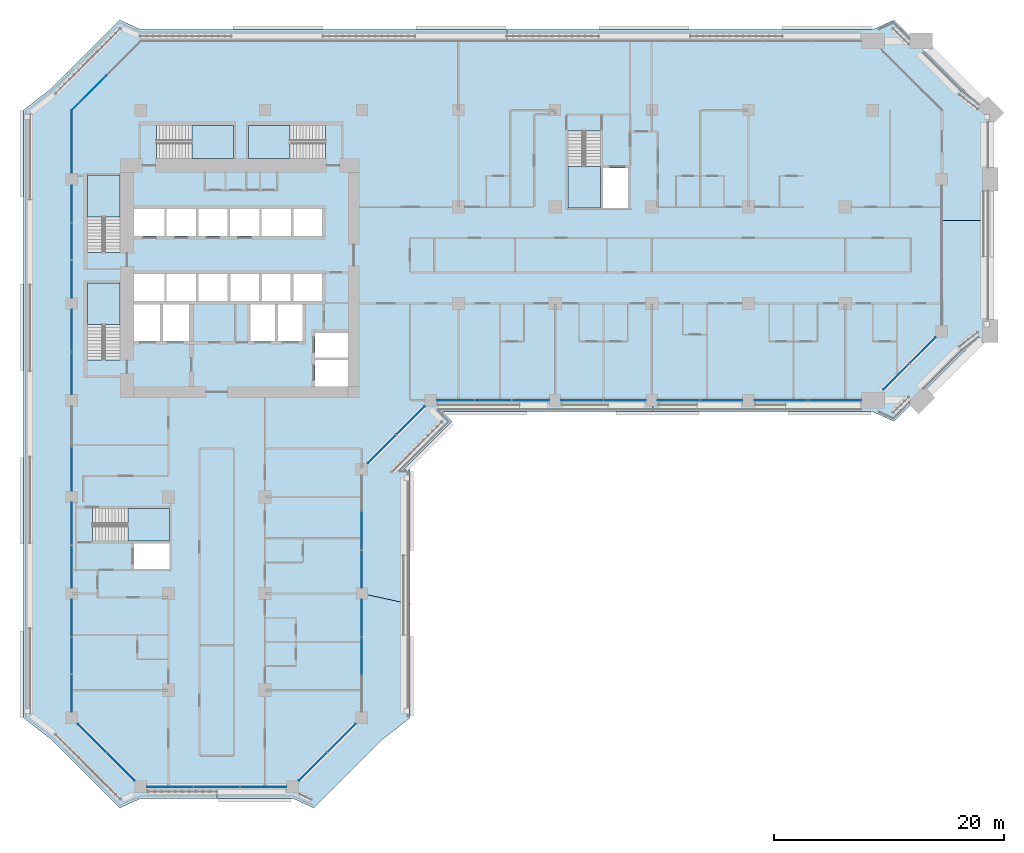
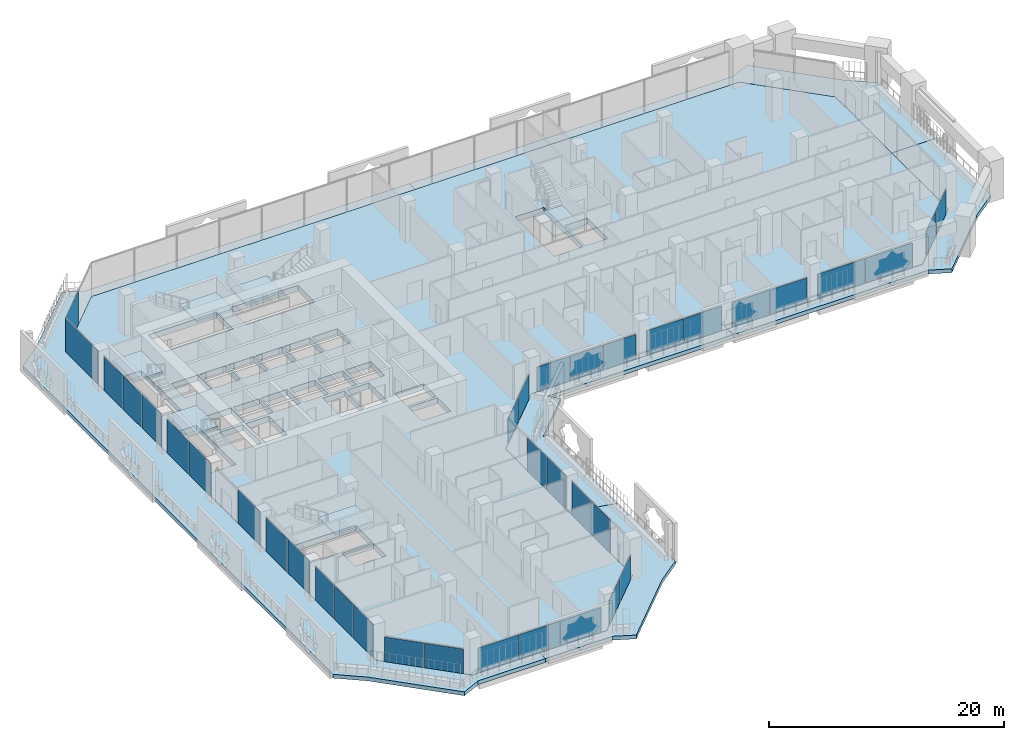
# One storey, part 11 of 27: 37 plates, 12 slabs, 15 elements without a shape of their own.
"""IFC4 building model written with IfcOpenShell, lengths in metres."""

from ifc_helpers import new_model, si_unit, direction, frame, origin, origin_2d, place, context, subcontext, project, spatial, polyline, rectangle, outline, extrude, material, layer, layer_set, type_object, element, aggregate, save


model = new_model("IFC4")

# Units and contexts
model_context = context("Model", 3, precision=1e-05, world=origin(), true_north=direction((0.0, 1.0)))
body_context = subcontext(model_context, "Body", "Model", "MODEL_VIEW")
ifc_project = project(units=[si_unit("LENGTHUNIT", "METRE"), si_unit("AREAUNIT", "SQUARE_METRE"), si_unit("VOLUMEUNIT", "CUBIC_METRE"), si_unit("PLANEANGLEUNIT", "RADIAN"), si_unit("MASSUNIT", "GRAM", prefix="KILO")], contexts=[model_context])

# Site, building, storey
site_placement = place(None, origin())
site = spatial("IfcSite", under=ifc_project, at=site_placement, CompositionType="ELEMENT")
building_placement = place(site_placement, origin())
building = spatial("IfcBuilding", under=site, at=building_placement, Name="Kawkab Arch Medical Tower", CompositionType="ELEMENT")
storey_placement = place(building_placement, frame((0.0, 0.0, 115.60009765625)))
storey = spatial("IfcBuildingStorey", under=building, at=storey_placement, Name="L26", CompositionType="ELEMENT", Elevation=115.60009765625)

# Curtain wall, plates
ifc_material_1 = material(Name="Bronze anodised aluminium curtain wall frame", Category="aluminium")
ifc_layer_1 = layer(ifc_material_1, 0.159912109375)
ifc_layer_set_1 = layer_set([ifc_layer_1], Name="Bronze anodised aluminium curtain wall frame")
curtain_wall_type_1 = type_object("IfcCurtainWallType", Name="CW1 ward curtain wall", PredefinedType="NOTDEFINED", material=ifc_layer_set_1)
placement_1 = place(storey_placement, origin())
curtain_wall_1 = element("IfcCurtainWall", 1, at=placement_1, inside=storey, type_object=curtain_wall_type_1, Name="CW1 Ward curtain wall R01", PredefinedType="NOTDEFINED")
ifc_material_2 = material(Name="Tinted insulating glass, bronze low-e coating", Category="glass")
ifc_layer_2 = layer(ifc_material_2, 0.031982421875)
ifc_layer_set_2 = layer_set([ifc_layer_2], Name="Tinted insulating glass, bronze low-e coating")
plate_type_1 = type_object("IfcPlateType", Name="CW1 glazing unit 32", PredefinedType="CURTAIN_PANEL", material=ifc_layer_set_2)
plate_1_placement = place(storey_placement, frame((0.0, -2.72509765625, 0.0), z_axis=(0.0, 0.0, 1.0), x_axis=(0.0, -1.0, 0.0)))
plate_1 = element("IfcPlate", 2, at=plate_1_placement, type_object=plate_type_1, Name="CW1 glazing unit 1.1", PredefinedType="CURTAIN_PANEL", context=body_context, shape_type="SweptSolid", body=[
    extrude(rectangle(XDim=5.449951171875, YDim=0.031982421875, at=origin_2d()), origin(), (0.0, 0.0, 1.0), 3.47998046875),
])
plate_2_placement = place(storey_placement, frame((0.0, -8.15576171875, 0.0), z_axis=(0.0, 0.0, 1.0), x_axis=(0.0, -1.0, 0.0)))
plate_2 = element("IfcPlate", 3, at=plate_2_placement, type_object=plate_type_1, Name="CW1 glazing unit 2.1", PredefinedType="CURTAIN_PANEL", context=body_context, shape_type="SweptSolid", body=[
    extrude(rectangle(XDim=3.211669921875, YDim=0.031982421875, at=origin_2d()), origin(), (0.0, 0.0, 1.0), 3.47998046875),
])
plate_3_placement = place(storey_placement, frame((0.0, -11.41259765625, 0.0), z_axis=(0.0, 0.0, 1.0), x_axis=(0.0, -1.0, 0.0)))
plate_3 = element("IfcPlate", 4, at=plate_3_placement, type_object=plate_type_1, Name="CW1 glazing unit 2.2", PredefinedType="CURTAIN_PANEL", context=body_context, shape_type="SweptSolid", body=[
    extrude(rectangle(XDim=3.181640625, YDim=0.031982421875, at=origin_2d()), origin(), (0.0, 0.0, 1.0), 3.47998046875),
])
plate_4_placement = place(storey_placement, frame((0.0, -14.669189453125, 0.0), z_axis=(0.0, 0.0, 1.0), x_axis=(0.0, -1.0, 0.0)))
plate_4 = element("IfcPlate", 5, at=plate_4_placement, type_object=plate_type_1, Name="CW1 glazing unit 2.3", PredefinedType="CURTAIN_PANEL", context=body_context, shape_type="SweptSolid", body=[
    extrude(rectangle(XDim=3.211669921875, YDim=0.031982421875, at=origin_2d()), origin(), (0.0, 0.0, 1.0), 3.47998046875),
])
plate_5_placement = place(storey_placement, frame((0.0, -19.1474609375, 0.0), z_axis=(0.0, 0.0, 1.0), x_axis=(0.0, -1.0, 0.0)))
plate_5 = element("IfcPlate", 6, at=plate_5_placement, type_object=plate_type_1, Name="CW1 glazing unit 3.1", PredefinedType="CURTAIN_PANEL", context=body_context, shape_type="SweptSolid", body=[
    extrude(rectangle(XDim=3.64501953125, YDim=0.031982421875, at=origin_2d()), origin(), (0.0, 0.0, 1.0), 3.47998046875),
])
plate_6_placement = place(storey_placement, frame((0.0, -22.8525390625, 0.0), z_axis=(0.0, 0.0, 1.0), x_axis=(0.0, -1.0, 0.0)))
plate_6 = element("IfcPlate", 7, at=plate_6_placement, type_object=plate_type_1, Name="CW1 glazing unit 3.2", PredefinedType="CURTAIN_PANEL", context=body_context, shape_type="SweptSolid", body=[
    extrude(rectangle(XDim=3.64501953125, YDim=0.031982421875, at=origin_2d()), origin(), (0.0, 0.0, 1.0), 3.47998046875),
])
plate_7_placement = place(storey_placement, frame((0.0, -31.237548828125, 0.0), z_axis=(0.0, 0.0, 1.0), x_axis=(0.0, -1.0, 0.0)))
plate_7 = element("IfcPlate", 8, at=plate_7_placement, type_object=plate_type_1, Name="CW1 glazing unit 4.2", PredefinedType="CURTAIN_PANEL", context=body_context, shape_type="SweptSolid", body=[
    extrude(rectangle(XDim=3.675048828125, YDim=0.031982421875, at=origin_2d()), origin(), (0.0, 0.0, 1.0), 3.47998046875),
])
plate_8_placement = place(storey_placement, frame((0.0, -35.947509765625, 0.0), z_axis=(0.0, 0.0, 1.0), x_axis=(0.0, -1.0, 0.0)))
plate_8 = element("IfcPlate", 9, at=plate_8_placement, type_object=plate_type_1, Name="CW1 glazing unit 5.1", PredefinedType="CURTAIN_PANEL", context=body_context, shape_type="SweptSolid", body=[
    extrude(rectangle(XDim=3.64501953125, YDim=0.031982421875, at=origin_2d()), origin(), (0.0, 0.0, 1.0), 3.47998046875),
])
plate_9_placement = place(storey_placement, frame((0.0, -39.652587890625, 0.0), z_axis=(0.0, 0.0, 1.0), x_axis=(0.0, -1.0, 0.0)))
plate_9 = element("IfcPlate", 10, at=plate_9_placement, type_object=plate_type_1, Name="CW1 glazing unit 5.2", PredefinedType="CURTAIN_PANEL", context=body_context, shape_type="SweptSolid", body=[
    extrude(rectangle(XDim=3.64501953125, YDim=0.031982421875, at=origin_2d()), origin(), (0.0, 0.0, 1.0), 3.47998046875),
])
plate_10_placement = place(storey_placement, frame((0.0, -44.130859375, 0.0), z_axis=(0.0, 0.0, 1.0), x_axis=(0.0, -1.0, 0.0)))
plate_10 = element("IfcPlate", 11, at=plate_10_placement, type_object=plate_type_1, Name="CW1 glazing unit 6.1", PredefinedType="CURTAIN_PANEL", context=body_context, shape_type="SweptSolid", body=[
    extrude(rectangle(XDim=3.211669921875, YDim=0.031982421875, at=origin_2d()), origin(), (0.0, 0.0, 1.0), 3.47998046875),
])
plate_11_placement = place(storey_placement, frame((0.0, -47.387451171875, 0.0), z_axis=(0.0, 0.0, 1.0), x_axis=(0.0, -1.0, 0.0)))
plate_11 = element("IfcPlate", 12, at=plate_11_placement, type_object=plate_type_1, Name="CW1 glazing unit 6.2", PredefinedType="CURTAIN_PANEL", context=body_context, shape_type="SweptSolid", body=[
    extrude(rectangle(XDim=3.181640625, YDim=0.031982421875, at=origin_2d()), origin(), (0.0, 0.0, 1.0), 3.47998046875),
])
plate_12_placement = place(storey_placement, frame((0.0, -50.644287109375, 0.0), z_axis=(0.0, 0.0, 1.0), x_axis=(0.0, -1.0, 0.0)))
plate_12 = element("IfcPlate", 13, at=plate_12_placement, type_object=plate_type_1, Name="CW1 glazing unit 6.3", PredefinedType="CURTAIN_PANEL", context=body_context, shape_type="SweptSolid", body=[
    extrude(rectangle(XDim=3.211669921875, YDim=0.031982421875, at=origin_2d()), origin(), (0.0, 0.0, 1.0), 3.47998046875),
])
aggregate(curtain_wall_1, [plate_1, plate_2, plate_3, plate_4, plate_5, plate_6, plate_7, plate_8, plate_9, plate_10, plate_11, plate_12])

curtain_wall_2 = element("IfcCurtainWall", 14, at=placement_1, inside=storey, type_object=curtain_wall_type_1, Name="CW1 Ward curtain wall R03", PredefinedType="NOTDEFINED")
plate_13_placement = place(storey_placement, frame((8.5517578125, -58.800048828125, -0.000244140625), z_axis=(0.0, 0.0, 1.0), x_axis=(1.0, 0.0, 0.0)))
plate_13 = element("IfcPlate", 15, at=plate_13_placement, type_object=plate_type_1, Name="CW1 glazing unit 1.1", PredefinedType="CURTAIN_PANEL", context=body_context, shape_type="SweptSolid", body=[
    extrude(rectangle(XDim=4.00341796875, YDim=0.031982421875, at=origin_2d()), origin(), (0.0, 0.0, 1.0), 2.580078125),
])
plate_14_placement = place(storey_placement, frame((12.60009765625, -58.800048828125, -0.000244140625), z_axis=(0.0, 0.0, 1.0), x_axis=(1.0, 0.0, 0.0)))
plate_14 = element("IfcPlate", 16, at=plate_14_placement, type_object=plate_type_1, Name="CW1 glazing unit 1.2", PredefinedType="CURTAIN_PANEL", context=body_context, shape_type="SweptSolid", body=[
    extrude(rectangle(XDim=3.973388671875, YDim=0.031982421875, at=origin_2d()), origin(), (0.0, 0.0, 1.0), 2.580078125),
])
plate_15_placement = place(storey_placement, frame((16.6484375, -58.800048828125, -0.000244140625), z_axis=(0.0, 0.0, 1.0), x_axis=(1.0, 0.0, 0.0)))
plate_15 = element("IfcPlate", 17, at=plate_15_placement, type_object=plate_type_1, Name="CW1 glazing unit 1.3", PredefinedType="CURTAIN_PANEL", context=body_context, shape_type="SweptSolid", body=[
    extrude(rectangle(XDim=4.00341796875, YDim=0.031982421875, at=origin_2d()), origin(), (0.0, 0.0, 1.0), 2.580078125),
])
aggregate(curtain_wall_2, [plate_13, plate_14, plate_15])

curtain_wall_3 = element("IfcCurtainWall", 18, at=placement_1, inside=storey, type_object=curtain_wall_type_1, Name="CW1 Ward curtain wall R05", PredefinedType="NOTDEFINED")
plate_16_placement = place(storey_placement, frame((25.199951171875, -47.402587890625, 0.0), z_axis=(0.0, 0.0, 1.0), x_axis=(0.0, 1.0, 0.0)))
plate_16 = element("IfcPlate", 19, at=plate_16_placement, type_object=plate_type_1, Name="CW1 glazing unit 1.2", PredefinedType="CURTAIN_PANEL", context=body_context, shape_type="SweptSolid", body=[
    extrude(rectangle(XDim=3.211669921875, YDim=0.031982421875, at=origin_2d()), origin(), (0.0, 0.0, 1.0), 3.47998046875),
])
plate_17_placement = place(storey_placement, frame((25.199951171875, -44.130859375, 0.0), z_axis=(0.0, 0.0, 1.0), x_axis=(0.0, 1.0, 0.0)))
plate_17 = element("IfcPlate", 20, at=plate_17_placement, type_object=plate_type_1, Name="CW1 glazing unit 1.3", PredefinedType="CURTAIN_PANEL", context=body_context, shape_type="SweptSolid", body=[
    extrude(rectangle(XDim=3.211669921875, YDim=0.031982421875, at=origin_2d()), origin(), (0.0, 0.0, 1.0), 3.47998046875),
])
plate_18_placement = place(storey_placement, frame((25.199951171875, -39.869140625, 0.0), z_axis=(0.0, 0.0, 1.0), x_axis=(0.0, 1.0, 0.0)))
plate_18 = element("IfcPlate", 21, at=plate_18_placement, type_object=plate_type_1, Name="CW1 glazing unit 2.1", PredefinedType="CURTAIN_PANEL", context=body_context, shape_type="SweptSolid", body=[
    extrude(rectangle(XDim=3.211669921875, YDim=0.031982421875, at=origin_2d()), origin(), (0.0, 0.0, 1.0), 3.47998046875),
])
plate_19_placement = place(storey_placement, frame((25.199951171875, -36.597412109375, 0.0), z_axis=(0.0, 0.0, 1.0), x_axis=(0.0, 1.0, 0.0)))
plate_19 = element("IfcPlate", 22, at=plate_19_placement, type_object=plate_type_1, Name="CW1 glazing unit 2.2", PredefinedType="CURTAIN_PANEL", context=body_context, shape_type="SweptSolid", body=[
    extrude(rectangle(XDim=3.211669921875, YDim=0.031982421875, at=origin_2d()), origin(), (0.0, 0.0, 1.0), 3.47998046875),
])
aggregate(curtain_wall_3, [plate_16, plate_17, plate_18, plate_19])

curtain_wall_4 = element("IfcCurtainWall", 23, at=placement_1, inside=storey, type_object=curtain_wall_type_1, Name="CW1 Ward curtain wall R07", PredefinedType="NOTDEFINED")
plate_20_placement = place(storey_placement, frame((33.355712890625, -25.199951171875, -0.000244140625), z_axis=(0.0, 0.0, 1.0), x_axis=(1.0, 0.0, 0.0)))
plate_20 = element("IfcPlate", 24, at=plate_20_placement, type_object=plate_type_1, Name="CW1 glazing unit 1.1", PredefinedType="CURTAIN_PANEL", context=body_context, shape_type="SweptSolid", body=[
    extrude(rectangle(XDim=3.211669921875, YDim=0.031982421875, at=origin_2d()), origin(), (0.0, 0.0, 1.0), 2.580078125),
])
plate_21_placement = place(storey_placement, frame((36.612548828125, -25.199951171875, -0.000244140625), z_axis=(0.0, 0.0, 1.0), x_axis=(1.0, 0.0, 0.0)))
plate_21 = element("IfcPlate", 25, at=plate_21_placement, type_object=plate_type_1, Name="CW1 glazing unit 1.2", PredefinedType="CURTAIN_PANEL", context=body_context, shape_type="SweptSolid", body=[
    extrude(rectangle(XDim=3.181640625, YDim=0.031982421875, at=origin_2d()), origin(), (0.0, 0.0, 1.0), 2.580078125),
])
plate_22_placement = place(storey_placement, frame((39.869140625, -25.199951171875, -0.000244140625), z_axis=(0.0, 0.0, 1.0), x_axis=(1.0, 0.0, 0.0)))
plate_22 = element("IfcPlate", 26, at=plate_22_placement, type_object=plate_type_1, Name="CW1 glazing unit 1.3", PredefinedType="CURTAIN_PANEL", context=body_context, shape_type="SweptSolid", body=[
    extrude(rectangle(XDim=3.211669921875, YDim=0.031982421875, at=origin_2d()), origin(), (0.0, 0.0, 1.0), 2.580078125),
])
plate_23_placement = place(storey_placement, frame((44.347412109375, -25.199951171875, -0.000244140625), z_axis=(0.0, 0.0, 1.0), x_axis=(1.0, 0.0, 0.0)))
plate_23 = element("IfcPlate", 27, at=plate_23_placement, type_object=plate_type_1, Name="CW1 glazing unit 2.1", PredefinedType="CURTAIN_PANEL", context=body_context, shape_type="SweptSolid", body=[
    extrude(rectangle(XDim=3.64501953125, YDim=0.031982421875, at=origin_2d()), origin(), (0.0, 0.0, 1.0), 2.580078125),
])
plate_24_placement = place(storey_placement, frame((48.052490234375, -25.199951171875, -0.000244140625), z_axis=(0.0, 0.0, 1.0), x_axis=(1.0, 0.0, 0.0)))
plate_24 = element("IfcPlate", 28, at=plate_24_placement, type_object=plate_type_1, Name="CW1 glazing unit 2.2", PredefinedType="CURTAIN_PANEL", context=body_context, shape_type="SweptSolid", body=[
    extrude(rectangle(XDim=3.64501953125, YDim=0.031982421875, at=origin_2d()), origin(), (0.0, 0.0, 1.0), 2.580078125),
])
plate_25_placement = place(storey_placement, frame((52.74755859375, -25.199951171875, -0.000244140625), z_axis=(0.0, 0.0, 1.0), x_axis=(1.0, 0.0, 0.0)))
plate_25 = element("IfcPlate", 29, at=plate_25_placement, type_object=plate_type_1, Name="CW1 glazing unit 3.1", PredefinedType="CURTAIN_PANEL", context=body_context, shape_type="SweptSolid", body=[
    extrude(rectangle(XDim=3.64501953125, YDim=0.031982421875, at=origin_2d()), origin(), (0.0, 0.0, 1.0), 2.580078125),
])
plate_26_placement = place(storey_placement, frame((56.452392578125, -25.199951171875, -0.000244140625), z_axis=(0.0, 0.0, 1.0), x_axis=(1.0, 0.0, 0.0)))
plate_26 = element("IfcPlate", 30, at=plate_26_placement, type_object=plate_type_1, Name="CW1 glazing unit 3.2", PredefinedType="CURTAIN_PANEL", context=body_context, shape_type="SweptSolid", body=[
    extrude(rectangle(XDim=3.64501953125, YDim=0.031982421875, at=origin_2d()), origin(), (0.0, 0.0, 1.0), 2.580078125),
])
plate_27_placement = place(storey_placement, frame((61.628662109375, -25.199951171875, -0.000244140625), z_axis=(0.0, 0.0, 1.0), x_axis=(1.0, 0.0, 0.0)))
plate_27 = element("IfcPlate", 31, at=plate_27_placement, type_object=plate_type_1, Name="CW1 glazing unit 4.1", PredefinedType="CURTAIN_PANEL", context=body_context, shape_type="SweptSolid", body=[
    extrude(rectangle(XDim=4.607421875, YDim=0.031982421875, at=origin_2d()), origin(), (0.0, 0.0, 1.0), 2.580078125),
])
plate_28_placement = place(storey_placement, frame((66.296142578125, -25.199951171875, -0.000244140625), z_axis=(0.0, 0.0, 1.0), x_axis=(1.0, 0.0, 0.0)))
plate_28 = element("IfcPlate", 32, at=plate_28_placement, type_object=plate_type_1, Name="CW1 glazing unit 4.2", PredefinedType="CURTAIN_PANEL", context=body_context, shape_type="SweptSolid", body=[
    extrude(rectangle(XDim=4.607421875, YDim=0.031982421875, at=origin_2d()), origin(), (0.0, 0.0, 1.0), 2.580078125),
])
aggregate(curtain_wall_4, [plate_20, plate_21, plate_22, plate_23, plate_24, plate_25, plate_26, plate_27, plate_28])

ifc_material_3 = material(Name="Bronze anodised aluminium curtain wall frame", Category="aluminium")
ifc_layer_3 = layer(ifc_material_3, 0.159912109375)
ifc_layer_set_3 = layer_set([ifc_layer_3], Name="Bronze anodised aluminium curtain wall frame")
curtain_wall_type_2 = type_object("IfcCurtainWallType", Name="CW2 chamfer curtain wall", PredefinedType="NOTDEFINED", material=ifc_layer_set_3)
curtain_wall_5 = element("IfcCurtainWall", 33, at=placement_1, inside=storey, type_object=curtain_wall_type_2, Name="CW2 Chamfer curtain wall R02", PredefinedType="NOTDEFINED")
ifc_material_4 = material(Name="Tinted insulating glass, bronze low-e coating", Category="glass")
ifc_layer_4 = layer(ifc_material_4, 0.031982421875)
ifc_layer_set_4 = layer_set([ifc_layer_4], Name="Tinted insulating glass, bronze low-e coating")
plate_type_2 = type_object("IfcPlateType", Name="CW2 glazing unit 32", PredefinedType="CURTAIN_PANEL", material=ifc_layer_set_4)
plate_29_placement = place(storey_placement, frame((1.764404296875, -54.564453125, -0.000244140625), z_axis=(0.0, 0.0, 1.0), x_axis=(0.707106781187, -0.707106781187, 0.0)))
plate_29 = element("IfcPlate", 34, at=plate_29_placement, type_object=plate_type_2, Name="CW2 glazing unit 1.1", PredefinedType="CURTAIN_PANEL", context=body_context, shape_type="SweptSolid", body=[
    extrude(rectangle(XDim=3.434814453125, YDim=0.031982421875, at=origin_2d()), origin(), (0.0, 0.0, 1.0), 2.56005859375),
])
plate_30_placement = place(storey_placement, frame((4.235595703125, -57.03564453125, -0.000244140625), z_axis=(0.0, 0.0, 1.0), x_axis=(0.707106781187, -0.707106781187, 0.0)))
plate_30 = element("IfcPlate", 35, at=plate_30_placement, type_object=plate_type_2, Name="CW2 glazing unit 1.2", PredefinedType="CURTAIN_PANEL", context=body_context, shape_type="SweptSolid", body=[
    extrude(rectangle(XDim=3.434814453125, YDim=0.031982421875, at=origin_2d()), origin(), (0.0, 0.0, 1.0), 2.56005859375),
])
aggregate(curtain_wall_5, [plate_29, plate_30])

curtain_wall_6 = element("IfcCurtainWall", 36, at=placement_1, inside=storey, type_object=curtain_wall_type_2, Name="CW2 Chamfer curtain wall R04", PredefinedType="NOTDEFINED")
plate_31_placement = place(storey_placement, frame((20.96435546875, -57.03564453125, -0.000244140625), z_axis=(0.0, 0.0, 1.0), x_axis=(0.707106781187, 0.707106781187, 0.0)))
plate_31 = element("IfcPlate", 37, at=plate_31_placement, type_object=plate_type_2, Name="CW2 glazing unit 1.1", PredefinedType="CURTAIN_PANEL", context=body_context, shape_type="SweptSolid", body=[
    extrude(rectangle(XDim=3.434814453125, YDim=0.031982421875, at=origin_2d()), origin(), (0.0, 0.0, 1.0), 2.56005859375),
])
plate_32_placement = place(storey_placement, frame((23.435546875, -54.564453125, -0.000244140625), z_axis=(0.0, 0.0, 1.0), x_axis=(0.707106781187, 0.707106781187, 0.0)))
plate_32 = element("IfcPlate", 38, at=plate_32_placement, type_object=plate_type_2, Name="CW2 glazing unit 1.2", PredefinedType="CURTAIN_PANEL", context=body_context, shape_type="SweptSolid", body=[
    extrude(rectangle(XDim=3.434814453125, YDim=0.031982421875, at=origin_2d()), origin(), (0.0, 0.0, 1.0), 2.56005859375),
])
aggregate(curtain_wall_6, [plate_31, plate_32])

curtain_wall_7 = element("IfcCurtainWall", 39, at=placement_1, inside=storey, type_object=curtain_wall_type_2, Name="CW2 Chamfer curtain wall R06", PredefinedType="NOTDEFINED")
plate_33_placement = place(storey_placement, frame((26.96435546875, -29.435546875, -0.000244140625), z_axis=(0.0, 0.0, 1.0), x_axis=(0.707106781187, 0.707106781187, 0.0)))
plate_33 = element("IfcPlate", 40, at=plate_33_placement, type_object=plate_type_2, Name="CW2 glazing unit 1.1", PredefinedType="CURTAIN_PANEL", context=body_context, shape_type="SweptSolid", body=[
    extrude(rectangle(XDim=3.434814453125, YDim=0.031982421875, at=origin_2d()), origin(), (0.0, 0.0, 1.0), 2.56005859375),
])
plate_34_placement = place(storey_placement, frame((29.435546875, -26.96435546875, -0.000244140625), z_axis=(0.0, 0.0, 1.0), x_axis=(0.707106781187, 0.707106781187, 0.0)))
plate_34 = element("IfcPlate", 41, at=plate_34_placement, type_object=plate_type_2, Name="CW2 glazing unit 1.2", PredefinedType="CURTAIN_PANEL", context=body_context, shape_type="SweptSolid", body=[
    extrude(rectangle(XDim=3.434814453125, YDim=0.031982421875, at=origin_2d()), origin(), (0.0, 0.0, 1.0), 2.56005859375),
])
aggregate(curtain_wall_7, [plate_33, plate_34])

curtain_wall_8 = element("IfcCurtainWall", 42, at=placement_1, inside=storey, type_object=curtain_wall_type_2, Name="CW2 Chamfer curtain wall R08", PredefinedType="NOTDEFINED")
plate_35_placement = place(storey_placement, frame((71.649658203125, -23.150390625, -0.000244140625), z_axis=(0.0, 0.0, 1.0), x_axis=(0.707106781187, 0.707106781187, 0.0)))
plate_35 = element("IfcPlate", 43, at=plate_35_placement, type_object=plate_type_2, Name="CW2 glazing unit 1.1", PredefinedType="CURTAIN_PANEL", context=body_context, shape_type="SweptSolid", body=[
    extrude(rectangle(XDim=3.165771484375, YDim=0.031982421875, at=origin_2d()), origin(), (0.0, 0.0, 1.0), 2.56005859375),
])
plate_36_placement = place(storey_placement, frame((73.9306640625, -20.869384765625, -0.000244140625), z_axis=(0.0, 0.0, 1.0), x_axis=(0.707106781187, 0.707106781187, 0.0)))
plate_36 = element("IfcPlate", 44, at=plate_36_placement, type_object=plate_type_2, Name="CW2 glazing unit 1.2", PredefinedType="CURTAIN_PANEL", context=body_context, shape_type="SweptSolid", body=[
    extrude(rectangle(XDim=3.165771484375, YDim=0.031982421875, at=origin_2d()), origin(), (0.0, 0.0, 1.0), 2.56005859375),
])
aggregate(curtain_wall_8, [plate_35, plate_36])

# Curtain wall, plate
curtain_wall_9 = element("IfcCurtainWall", 45, at=placement_1, inside=storey, type_object=curtain_wall_type_2, Name="CW2 Chamfer curtain wall R12", PredefinedType="NOTDEFINED")
plate_37_placement = place(storey_placement, frame((1.5, 1.5, 0.0), z_axis=(0.0, 0.0, 1.0), x_axis=(-0.707106781187, -0.707106781187, 0.0)))
plate_37 = element("IfcPlate", 46, at=plate_37_placement, type_object=plate_type_2, Name="CW2 glazing unit 2.1", PredefinedType="CURTAIN_PANEL", context=body_context, shape_type="SweptSolid", body=[
    extrude(rectangle(XDim=4.24267578125, YDim=0.031982421875, at=origin_2d()), origin(), (0.0, 0.0, 1.0), 3.4599609375),
])
aggregate(curtain_wall_9, [plate_37])

# Stair, slab
ifc_material_5 = material(Name="Concrete C40/50", Category="concrete")
stair_type = type_object("IfcStairType", Name="Exit stair 1350", PredefinedType="HALF_TURN_STAIR", material=ifc_material_5)
stair_1 = element("IfcStair", 47, at=placement_1, inside=storey, type_object=stair_type, Name="L26 Exit stair ST1", PredefinedType="HALF_TURN_STAIR")
ifc_material_6 = material(Name="Concrete C40/50", Category="concrete")
ifc_layer_5 = layer(ifc_material_6, 0.199951171875)
ifc_layer_set_5 = layer_set([ifc_layer_5], Name="Concrete C40/50")
slab_type_1 = type_object("IfcSlabType", Name="Exit stair landing 200", PredefinedType="LANDING", material=ifc_layer_set_5)
placement_2 = place(storey_placement, frame((0.0, 0.0, 1.89990234375)))
slab_1 = element("IfcSlab", 48, at=placement_2, type_object=slab_type_1, Name="ST1 landing 1", PredefinedType="LANDING", context=body_context, shape_type="SweptSolid", body=[
    extrude(outline(polyline([(4.199951171875, -9.27001953125), (4.199951171875, -5.64990234375), (1.35009765625, -5.64990234375), (1.35009765625, -9.27001953125), (4.199951171875, -9.27001953125)])), origin(), (0.0, 0.0, 1.0), 0.199951171875),
])
aggregate(stair_1, [slab_1])

stair_2 = element("IfcStair", 49, at=placement_1, inside=storey, type_object=stair_type, Name="L26 Exit stair ST2", PredefinedType="HALF_TURN_STAIR")
slab_2 = element("IfcSlab", 50, at=placement_2, type_object=slab_type_1, Name="ST2 landing 1", PredefinedType="LANDING", context=body_context, shape_type="SweptSolid", body=[
    extrude(outline(polyline([(4.199951171875, -18.6201171875), (4.199951171875, -15.0), (1.35009765625, -15.0), (1.35009765625, -18.6201171875), (4.199951171875, -18.6201171875)])), origin(), (0.0, 0.0, 1.0), 0.199951171875),
])
aggregate(stair_2, [slab_2])

stair_3 = element("IfcStair", 51, at=placement_1, inside=storey, type_object=stair_type, Name="L26 Exit stair ST3", PredefinedType="HALF_TURN_STAIR")
slab_3 = element("IfcSlab", 52, at=placement_2, type_object=slab_type_1, Name="ST3 landing 1", PredefinedType="LANDING", context=body_context, shape_type="SweptSolid", body=[
    extrude(outline(polyline([(10.429931640625, -4.199951171875), (14.050048828125, -4.199951171875), (14.050048828125, -1.35009765625), (10.429931640625, -1.35009765625), (10.429931640625, -4.199951171875)])), origin(), (0.0, 0.0, 1.0), 0.199951171875),
])
aggregate(stair_3, [slab_3])

stair_4 = element("IfcStair", 53, at=placement_1, inside=storey, type_object=stair_type, Name="L26 Exit stair ST4", PredefinedType="HALF_TURN_STAIR")
slab_4 = element("IfcSlab", 54, at=placement_2, type_object=slab_type_1, Name="ST4 landing 1", PredefinedType="LANDING", context=body_context, shape_type="SweptSolid", body=[
    extrude(outline(polyline([(18.969970703125, -1.35009765625), (15.35009765625, -1.35009765625), (15.35009765625, -4.199951171875), (18.969970703125, -4.199951171875), (18.969970703125, -1.35009765625)])), origin(), (0.0, 0.0, 1.0), 0.199951171875),
])
aggregate(stair_4, [slab_4])

stair_5 = element("IfcStair", 55, at=placement_1, inside=storey, type_object=stair_type, Name="L26 Exit stair ST5", PredefinedType="HALF_TURN_STAIR")
slab_5 = element("IfcSlab", 56, at=placement_2, type_object=slab_type_1, Name="ST5 landing 1", PredefinedType="LANDING", context=body_context, shape_type="SweptSolid", body=[
    extrude(outline(polyline([(43.10009765625, -4.8798828125), (43.10009765625, -8.5), (45.949951171875, -8.5), (45.949951171875, -4.8798828125), (43.10009765625, -4.8798828125)])), origin(), (0.0, 0.0, 1.0), 0.199951171875),
])
aggregate(stair_5, [slab_5])

stair_6 = element("IfcStair", 57, at=placement_1, inside=storey, type_object=stair_type, Name="L26 Exit stair ST6", PredefinedType="HALF_TURN_STAIR")
slab_6 = element("IfcSlab", 58, at=placement_2, type_object=slab_type_1, Name="ST6 landing 1", PredefinedType="LANDING", context=body_context, shape_type="SweptSolid", body=[
    extrude(outline(polyline([(4.8798828125, -37.449951171875), (8.5, -37.449951171875), (8.5, -34.60009765625), (4.8798828125, -34.60009765625), (4.8798828125, -37.449951171875)])), origin(), (0.0, 0.0, 1.0), 0.199951171875),
])
aggregate(stair_6, [slab_6])

# Slabs
ifc_material_7 = material(Name="Concrete C45/55", Category="concrete")
ifc_layer_6 = layer(ifc_material_7, 0.60009765625)
ifc_layer_set_6 = layer_set([ifc_layer_6], Name="Concrete C45/55")
slab_type_2 = type_object("IfcSlabType", Name="Flat plate 600 C45/55", PredefinedType="FLOOR", material=ifc_layer_set_6)
slab_7_placement = place(storey_placement, frame((0.0, 0.0, -0.60009765625)))
element("IfcSlab", 59, at=slab_7_placement, inside=storey, type_object=slab_type_2, Name="Floor slab L26", PredefinedType="FLOOR", context=body_context, shape_type="SweptSolid", body=[
    extrude(outline(polyline([(6.0, 6.0), (69.60009765625, 6.0), (75.60009765625, 0.0), (75.60009765625, -19.199951171875), (69.60009765625, -25.199951171875), (31.199951171875, -25.199951171875), (25.199951171875, -31.199951171875), (25.199951171875, -52.800048828125), (19.199951171875, -58.800048828125), (6.0, -58.800048828125), (0.0, -52.800048828125), (0.0, 0.0), (6.0, 6.0)]), holes=[polyline([(5.425048828125, -37.64990234375), (5.425048828125, -39.85009765625), (8.5, -39.85009765625), (8.5, -37.64990234375), (5.425048828125, -37.64990234375)]), polyline([(1.800048828125, -37.449951171875), (8.5, -37.449951171875), (8.5, -34.60009765625), (1.800048828125, -34.60009765625), (1.800048828125, -37.449951171875)]), polyline([(5.39990234375, -16.89990234375), (5.39990234375, -20.050048828125), (7.675048828125, -20.050048828125), (7.675048828125, -16.89990234375), (5.39990234375, -16.89990234375)]), polyline([(10.199951171875, -16.89990234375), (7.925048828125, -16.89990234375), (7.925048828125, -20.050048828125), (10.199951171875, -20.050048828125), (10.199951171875, -16.89990234375)]), polyline([(4.199951171875, -21.699951171875), (4.199951171875, -15.0), (1.35009765625, -15.0), (1.35009765625, -21.699951171875), (4.199951171875, -21.699951171875)]), polyline([(5.39990234375, -14.25), (5.39990234375, -16.60009765625), (8.050048828125, -16.60009765625), (8.050048828125, -14.25), (5.39990234375, -14.25)]), polyline([(8.25, -14.25), (8.25, -16.60009765625), (10.800048828125, -16.60009765625), (10.800048828125, -14.25), (8.25, -14.25)]), polyline([(11.0, -16.60009765625), (13.52490234375, -16.60009765625), (13.52490234375, -14.25), (11.0, -14.25), (11.0, -16.60009765625)]), polyline([(5.39990234375, -8.60009765625), (5.39990234375, -10.949951171875), (8.050048828125, -10.949951171875), (8.050048828125, -8.60009765625), (5.39990234375, -8.60009765625)]), polyline([(8.25, -8.60009765625), (8.25, -10.949951171875), (10.800048828125, -10.949951171875), (10.800048828125, -8.60009765625), (8.25, -8.60009765625)]), polyline([(13.550048828125, -10.949951171875), (13.550048828125, -8.60009765625), (11.0, -8.60009765625), (11.0, -10.949951171875), (13.550048828125, -10.949951171875)]), polyline([(4.199951171875, -12.35009765625), (4.199951171875, -5.64990234375), (1.35009765625, -5.64990234375), (1.35009765625, -12.35009765625), (4.199951171875, -12.35009765625)]), polyline([(7.35009765625, -4.199951171875), (14.050048828125, -4.199951171875), (14.050048828125, -1.35009765625), (7.35009765625, -1.35009765625), (7.35009765625, -4.199951171875)]), polyline([(24.0, -21.72509765625), (21.14990234375, -21.72509765625), (21.14990234375, -24.0), (24.0, -24.0), (24.0, -21.72509765625)]), polyline([(24.0, -21.47509765625), (24.0, -19.35009765625), (21.14990234375, -19.35009765625), (21.14990234375, -21.47509765625), (24.0, -21.47509765625)]), polyline([(15.52490234375, -20.050048828125), (17.675048828125, -20.050048828125), (17.675048828125, -16.89990234375), (15.52490234375, -16.89990234375), (15.52490234375, -20.050048828125)]), polyline([(20.050048828125, -20.050048828125), (20.050048828125, -16.89990234375), (17.925048828125, -16.89990234375), (17.925048828125, -20.050048828125), (20.050048828125, -20.050048828125)]), polyline([(13.77490234375, -14.25), (13.77490234375, -16.60009765625), (16.27490234375, -16.60009765625), (16.27490234375, -14.25), (13.77490234375, -14.25)]), polyline([(16.52490234375, -14.25), (16.52490234375, -16.60009765625), (19.02490234375, -16.60009765625), (19.02490234375, -14.25), (16.52490234375, -14.25)]), polyline([(21.75, -16.60009765625), (21.75, -14.25), (19.27490234375, -14.25), (19.27490234375, -16.60009765625), (21.75, -16.60009765625)]), polyline([(13.75, -10.949951171875), (16.300048828125, -10.949951171875), (16.300048828125, -8.60009765625), (13.75, -8.60009765625), (13.75, -10.949951171875)]), polyline([(16.5, -10.949951171875), (19.050048828125, -10.949951171875), (19.050048828125, -8.60009765625), (16.5, -8.60009765625), (16.5, -10.949951171875)]), polyline([(21.75, -10.949951171875), (21.75, -8.60009765625), (19.25, -8.60009765625), (19.25, -10.949951171875), (21.75, -10.949951171875)]), polyline([(46.14990234375, -5.02490234375), (46.14990234375, -8.5), (48.35009765625, -8.5), (48.35009765625, -5.02490234375), (46.14990234375, -5.02490234375)]), polyline([(43.10009765625, -1.800048828125), (43.10009765625, -8.5), (45.949951171875, -8.5), (45.949951171875, -1.800048828125), (43.10009765625, -1.800048828125)]), polyline([(22.050048828125, -1.35009765625), (15.35009765625, -1.35009765625), (15.35009765625, -4.199951171875), (22.050048828125, -4.199951171875), (22.050048828125, -1.35009765625)])]), origin(), (0.0, 0.0, 1.0), 0.60009765625),
])
ifc_material_8 = material(Name="Concrete C40/50", Category="concrete")
ifc_layer_7 = layer(ifc_material_8, 0.39990234375)
ifc_layer_set_7 = layer_set([ifc_layer_7], Name="Concrete C40/50")
slab_type_3 = type_object("IfcSlabType", Name="Loggia slab 400", PredefinedType="FLOOR", material=ifc_layer_set_7)
placement_3 = place(storey_placement, frame((0.0, 0.0, -0.400146484375)))
element("IfcSlab", 60, at=placement_3, inside=storey, type_object=slab_type_3, Name="Loggia slab L26.1", PredefinedType="FLOOR", context=body_context, shape_type="SweptSolid", body=[
    extrude(outline(polyline([(19.199951171875, -59.800048828125), (12.60009765625, -59.800048828125), (12.60009765625, -58.800048828125), (19.199951171875, -58.800048828125), (25.199951171875, -52.800048828125), (25.199951171875, -42.0), (29.39990234375, -42.9130859375), (29.39990234375, -52.800048828125), (27.0380859375, -54.637939453125), (21.0380859375, -60.637939453125), (19.199951171875, -59.800048828125)])), origin(), (0.0, 0.0, 1.0), 0.400146484375),
])
element("IfcSlab", 61, at=placement_3, inside=storey, type_object=slab_type_3, Name="Loggia slab L26.2", PredefinedType="FLOOR", context=body_context, shape_type="SweptSolid", body=[
    extrude(outline(polyline([(33.037109375, -27.0380859375), (28.8759765625, -31.199951171875), (29.39990234375, -31.199951171875), (29.39990234375, -42.9130859375), (25.199951171875, -42.0), (25.199951171875, -31.199951171875), (31.199951171875, -25.199951171875), (50.39990234375, -25.199951171875), (50.534912109375, -26.199951171875), (32.198974609375, -26.199951171875), (33.037109375, -27.0380859375)])), origin(), (0.0, 0.0, 1.0), 0.400146484375),
])
element("IfcSlab", 62, at=placement_3, inside=storey, type_object=slab_type_3, Name="Loggia slab L26.3", PredefinedType="FLOOR", context=body_context, shape_type="SweptSolid", body=[
    extrude(outline(polyline([(-4.199951171875, 0.0), (-1.837890625, 1.837890625), (4.162109375, 7.837890625), (6.0, 7.0), (37.800048828125, 7.0), (37.800048828125, 6.0), (6.0, 6.0), (0.0, 0.0), (-0.0009765625, 0.0), (-0.0009765625, -52.800048828125), (0.0, -52.800048828125), (6.0, -58.800048828125), (12.60009765625, -58.800048828125), (12.60009765625, -59.800048828125), (6.0, -59.800048828125), (4.162109375, -60.637939453125), (-1.837890625, -54.637939453125), (-4.199951171875, -52.800048828125), (-4.199951171875, 0.0)])), origin(), (0.0, 0.0, 1.0), 0.400146484375),
])
element("IfcSlab", 63, at=placement_3, inside=storey, type_object=slab_type_3, Name="Loggia slab L26.4", PredefinedType="FLOOR", context=body_context, shape_type="SweptSolid", body=[
    extrude(outline(polyline([(77.43798828125, -21.0380859375), (71.43798828125, -27.0380859375), (69.60009765625, -26.199951171875), (50.534912109375, -26.199951171875), (50.39990234375, -25.199951171875), (69.60009765625, -25.199951171875), (75.60009765625, -19.199951171875), (75.60009765625, -9.60009765625), (79.800048828125, -9.60009765625), (79.800048828125, -19.199951171875), (77.43798828125, -21.0380859375)])), origin(), (0.0, 0.0, 1.0), 0.400146484375),
])
element("IfcSlab", 64, at=placement_3, inside=storey, type_object=slab_type_3, Name="Loggia slab L26.5", PredefinedType="FLOOR", context=body_context, shape_type="SweptSolid", body=[
    extrude(outline(polyline([(71.43798828125, 7.837890625), (77.43798828125, 1.837890625), (79.800048828125, 0.0), (79.800048828125, -9.60009765625), (75.60009765625, -9.60009765625), (75.60009765625, 0.0), (69.60009765625, 6.0), (37.800048828125, 6.0), (37.800048828125, 7.0), (69.60009765625, 7.0), (71.43798828125, 7.837890625)])), origin(), (0.0, 0.0, 1.0), 0.400146484375),
])

save(model, "model.ifc")
